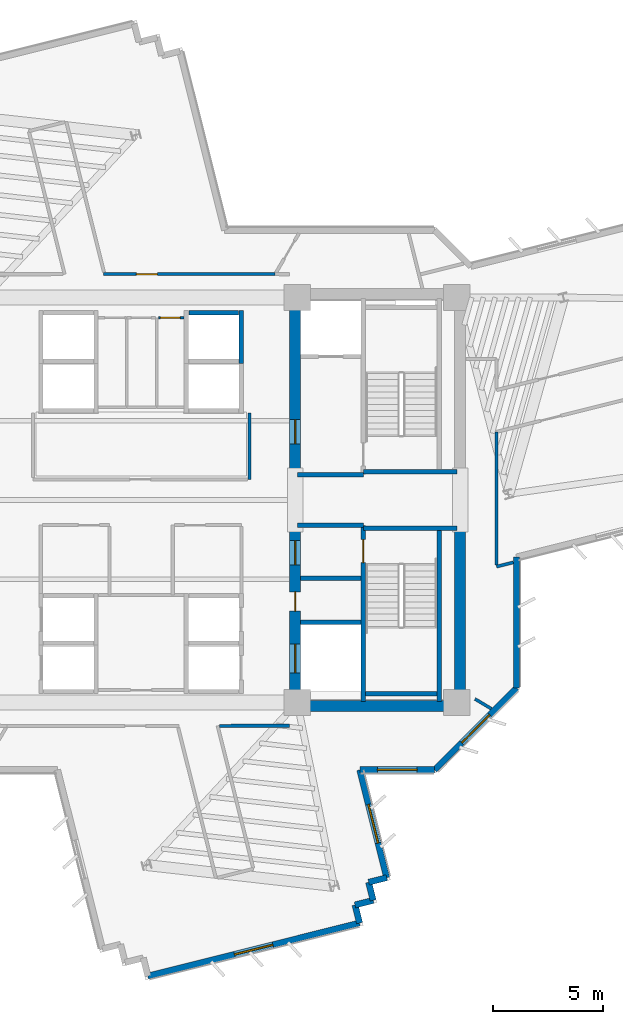
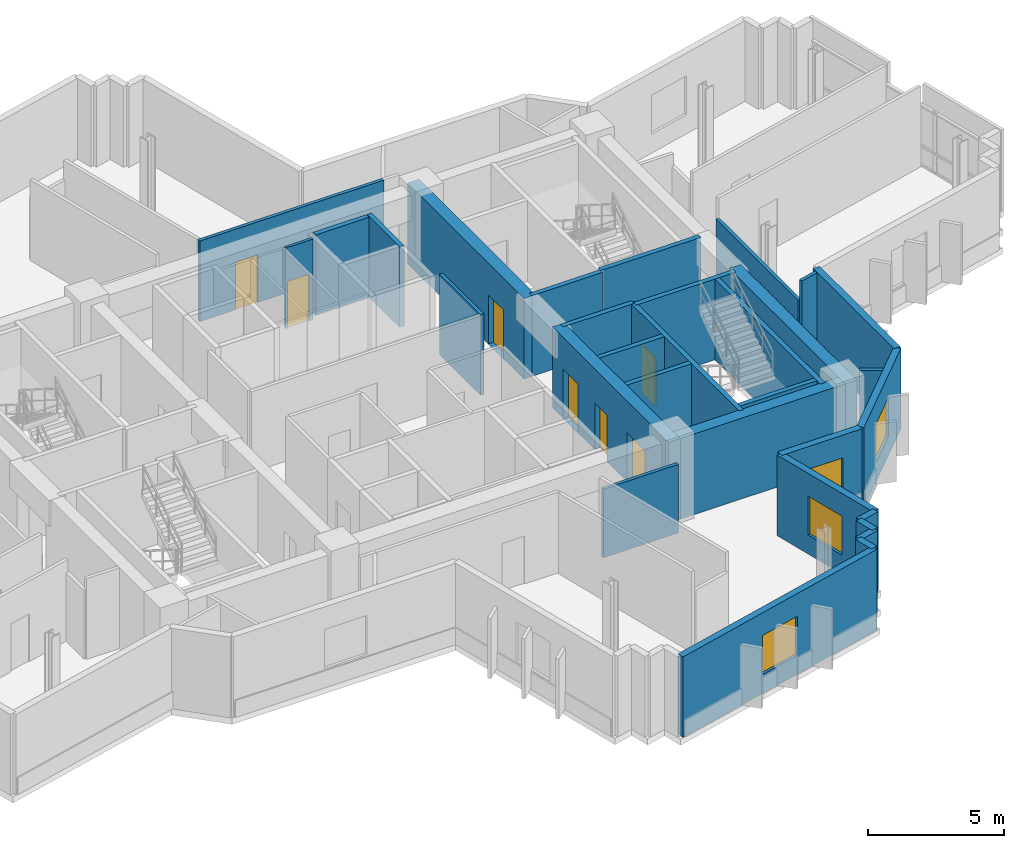
# One storey, part 8 of 13: 31 walls, 7 doors, 4 windows, 11 openings.
"""IFC4 building model written with IfcOpenShell, lengths in metres."""

from ifc_helpers import new_model, si_unit, direction, frame, frame_2d, origin, place, context, subcontext, project, spatial, rectangle, extrude, source, transform, mapped, material, layer, layer_set, type_object, element, fill, save


model = new_model("IFC4")

# Units and contexts
model_context = context("Model", 3, precision=1e-05, world=origin(), true_north=direction((0.0, 1.0)))
body_context = subcontext(model_context, "Body", "Model", "MODEL_VIEW")
ifc_project = project(units=[si_unit("LENGTHUNIT", "METRE"), si_unit("AREAUNIT", "SQUARE_METRE"), si_unit("VOLUMEUNIT", "CUBIC_METRE"), si_unit("PLANEANGLEUNIT", "RADIAN"), si_unit("MASSUNIT", "GRAM", prefix="KILO")], contexts=[model_context])

# Site, building, storey
site_placement = place(None, origin())
site = spatial("IfcSite", under=ifc_project, at=site_placement, CompositionType="ELEMENT")
building_placement = place(site_placement, origin())
building = spatial("IfcBuilding", under=site, at=building_placement, Name="Zahravan Cultural Tower", CompositionType="ELEMENT")
storey_placement = place(building_placement, frame((0.0, 0.0, 186.300048828125)))
storey = spatial("IfcBuildingStorey", under=building, at=storey_placement, Name="L43", CompositionType="ELEMENT", Elevation=186.300048828125)

# Wall, openings, doors
ifc_material_1 = material(Name="Concrete C60/75", Category="concrete")
ifc_layer_1 = layer(ifc_material_1, 0.5)
ifc_layer_set_1 = layer_set([ifc_layer_1], Name="Concrete C60/75")
wall_type_1 = type_object("IfcWallType", Name="CW-SHEAR-500-C60", PredefinedType="SHEAR", material=ifc_layer_set_1)
wall_1_placement = place(storey_placement, frame((43.0, 17.39990234375, 0.0), z_axis=(0.0, 0.0, 1.0), x_axis=(0.0, 1.0, 0.0)))
wall_1 = element("IfcWall", 1, at=wall_1_placement, inside=storey, type_object=wall_type_1, Name="L43 Core Shear Wall CW-E-WS-L43", PredefinedType="SHEAR", context=body_context, shape_type="SweptSolid", body=[
    extrude(rectangle(XDim=8.550048828125, YDim=0.5, at=frame_2d((4.27490234375, 0.0))), origin(), (0.0, 0.0, 1.0), 3.619873046875),
])
opening_1_placement = place(wall_1_placement, frame((6.64990234375, 0.0, 0.0)))
opening_1 = element("IfcOpeningElement", 2, at=opening_1_placement, cuts=wall_1, Name="Opening D-L43-08", PredefinedType="OPENING", context=body_context, shape_type="SweptSolid", body=[
    extrude(rectangle(XDim=1.10009765625, YDim=2.199951171875, at=frame_2d((0.550048828125, 1.10009765625))), frame((0.0, 0.260009765625, 0.0), z_axis=(0.0, -1.0, 0.0), x_axis=(1.0, 0.0, 0.0)), (0.0, 0.0, 1.0), 0.52001953125),
])
opening_2_placement = place(wall_1_placement, frame((1.75, 0.0, 0.0)))
opening_2 = element("IfcOpeningElement", 3, at=opening_2_placement, cuts=wall_1, Name="Opening LD-L43-03", PredefinedType="OPENING", context=body_context, shape_type="SweptSolid", body=[
    extrude(rectangle(XDim=1.300048828125, YDim=2.199951171875, at=frame_2d((0.64990234375, 1.10009765625))), frame((0.0, 0.260009765625, 0.0), z_axis=(0.0, -1.0, 0.0), x_axis=(1.0, 0.0, 0.0)), (0.0, 0.0, 1.0), 0.52001953125),
])
opening_3_placement = place(wall_1_placement, frame((4.550048828125, 0.0, 0.0)))
opening_3 = element("IfcOpeningElement", 4, at=opening_3_placement, cuts=wall_1, Name="Opening D-L43-10", PredefinedType="OPENING", context=body_context, shape_type="SweptSolid", body=[
    extrude(rectangle(XDim=0.8798828125, YDim=2.10009765625, at=frame_2d((0.43994140625, 1.050048828125))), frame((0.0, 0.260009765625, 0.0), z_axis=(0.0, -1.0, 0.0), x_axis=(1.0, 0.0, 0.0)), (0.0, 0.0, 1.0), 0.52001953125),
])
ifc_material_2 = material(Name="Steel ASTM A572 Grade 50", Category="steel")
door_type_1 = type_object("IfcDoorType", Name="DR-LOBBY-1100", OperationType="NOTDEFINED", PredefinedType="DOOR", material=ifc_material_2)
shared_shape_1 = source(origin(), body_context, "Body", "SweptSolid", [
    extrude(rectangle(XDim=1.10009765625, YDim=2.199951171875, at=frame_2d((0.550048828125, 1.10009765625))), frame((0.0, 0.02490234375, 0.0), z_axis=(0.0, -1.0, 0.0), x_axis=(1.0, 0.0, 0.0)), (0.0, 0.0, 1.0), 0.050048828125),
])
door_1_placement = place(opening_1_placement, origin())
door_1 = element("IfcDoor", 5, at=door_1_placement, inside=storey, type_object=door_type_1, Name="L43 Door D-L43-08", OperationType="SINGLE_SWING_RIGHT", OverallHeight=2.199951171875, OverallWidth=1.10009765625, PredefinedType="DOOR", context=body_context, shape_type="MappedRepresentation", body=[
    mapped(shared_shape_1, transform((0.0, 0.0, 0.0), x_axis=(1.0, 0.0, 0.0), y_axis=(0.0, 1.0, 0.0), z_axis=(0.0, 0.0, 1.0), scale=1.0)),
])
fill(opening_1, door_1)
door_type_2 = type_object("IfcDoorType", Name="DR-LIFT-1300", OperationType="DOUBLE_DOOR_SLIDING", PredefinedType="DOOR", material=ifc_material_2)
shared_shape_2 = source(origin(), body_context, "Body", "SweptSolid", [
    extrude(rectangle(XDim=1.300048828125, YDim=2.199951171875, at=frame_2d((0.64990234375, 1.10009765625))), frame((0.0, 0.02490234375, 0.0), z_axis=(0.0, -1.0, 0.0), x_axis=(1.0, 0.0, 0.0)), (0.0, 0.0, 1.0), 0.050048828125),
])
door_2_placement = place(opening_2_placement, origin())
door_2 = element("IfcDoor", 6, at=door_2_placement, inside=storey, type_object=door_type_2, Name="L43 Door LD-L43-03", OperationType="DOUBLE_DOOR_SLIDING", OverallHeight=2.199951171875, OverallWidth=1.300048828125, PredefinedType="DOOR", context=body_context, shape_type="MappedRepresentation", body=[
    mapped(shared_shape_2, transform((0.0, 0.0, 0.0), x_axis=(1.0, 0.0, 0.0), y_axis=(0.0, 1.0, 0.0), z_axis=(0.0, 0.0, 1.0), scale=1.0)),
])
fill(opening_2, door_2)
door_type_3 = type_object("IfcDoorType", Name="DR-SVC-880", OperationType="NOTDEFINED", PredefinedType="DOOR", material=ifc_material_2)
shared_shape_3 = source(origin(), body_context, "Body", "SweptSolid", [
    extrude(rectangle(XDim=0.8798828125, YDim=2.10009765625, at=frame_2d((0.43994140625, 1.050048828125))), frame((0.0, 0.02490234375, 0.0), z_axis=(0.0, -1.0, 0.0), x_axis=(1.0, 0.0, 0.0)), (0.0, 0.0, 1.0), 0.050048828125),
])
door_3_placement = place(opening_3_placement, origin())
door_3 = element("IfcDoor", 7, at=door_3_placement, inside=storey, type_object=door_type_3, Name="L43 Door D-L43-10", OperationType="SINGLE_SWING_RIGHT", OverallHeight=2.10009765625, OverallWidth=0.8798828125, PredefinedType="DOOR", context=body_context, shape_type="MappedRepresentation", body=[
    mapped(shared_shape_3, transform((0.0, 0.0, 0.0), x_axis=(1.0, 0.0, 0.0), y_axis=(0.0, 1.0, 0.0), z_axis=(0.0, 0.0, 1.0), scale=1.0)),
])
fill(opening_3, door_3)

# Wall, opening, door
wall_2_placement = place(storey_placement, frame((43.0, 28.050048828125, 0.0), z_axis=(0.0, 0.0, 1.0), x_axis=(0.0, 1.0, 0.0)))
wall_2 = element("IfcWall", 8, at=wall_2_placement, inside=storey, type_object=wall_type_1, Name="L43 Core Shear Wall CW-E-WN-L43", PredefinedType="SHEAR", context=body_context, shape_type="SweptSolid", body=[
    extrude(rectangle(XDim=8.550048828125, YDim=0.5, at=frame_2d((4.27490234375, 0.0))), origin(), (0.0, 0.0, 1.0), 3.619873046875),
])
opening_4_placement = place(wall_2_placement, frame((1.5, 0.0, 0.0)))
opening_4 = element("IfcOpeningElement", 9, at=opening_4_placement, cuts=wall_2, Name="Opening D-L43-06", PredefinedType="OPENING", context=body_context, shape_type="SweptSolid", body=[
    extrude(rectangle(XDim=1.10009765625, YDim=2.199951171875, at=frame_2d((0.550048828125, 1.10009765625))), frame((0.0, 0.260009765625, 0.0), z_axis=(0.0, -1.0, 0.0), x_axis=(1.0, 0.0, 0.0)), (0.0, 0.0, 1.0), 0.52001953125),
])
door_4_placement = place(opening_4_placement, origin())
door_4 = element("IfcDoor", 10, at=door_4_placement, inside=storey, type_object=door_type_1, Name="L43 Door D-L43-06", OperationType="SINGLE_SWING_RIGHT", OverallHeight=2.199951171875, OverallWidth=1.10009765625, PredefinedType="DOOR", context=body_context, shape_type="MappedRepresentation", body=[
    mapped(shared_shape_1, transform((0.0, 0.0, 0.0), x_axis=(1.0, 0.0, 0.0), y_axis=(0.0, 1.0, 0.0), z_axis=(0.0, 0.0, 1.0), scale=1.0)),
])
fill(opening_4, door_4)

# Wall, opening, window
ifc_material_3 = material(Name="Precast concrete C40/50", Category="concrete")
ifc_layer_2 = layer(ifc_material_3, 0.280029296875)
ifc_layer_set_2 = layer_set([ifc_layer_2], Name="Precast concrete C40/50")
wall_type_2 = type_object("IfcWallType", Name="EW-TC-280", PredefinedType="SOLIDWALL", material=ifc_layer_set_2)
wall_3_placement = place(storey_placement, frame((53.06005859375, 18.4580078125, 0.0), z_axis=(0.0, 0.0, 1.0), x_axis=(-0.707106781187, -0.707106781187, 0.0)))
wall_3 = element("IfcWall", 11, at=wall_3_placement, inside=storey, type_object=wall_type_2, Name="L43 Exterior Masonry Frame Wall 12", PredefinedType="SOLIDWALL", context=body_context, shape_type="SweptSolid", body=[
    extrude(rectangle(XDim=5.258056640625, YDim=0.280029296875, at=frame_2d((2.62890625, 0.0))), origin(), (0.0, 0.0, 1.0), 3.619873046875),
])
opening_5_placement = place(wall_3_placement, frame((1.72900390625, 0.0, 0.85009765625)))
opening_5 = element("IfcOpeningElement", 12, at=opening_5_placement, cuts=wall_3, Name="Opening WN-02", PredefinedType="OPENING", context=body_context, shape_type="SweptSolid", body=[
    extrude(rectangle(XDim=1.800048828125, YDim=1.75, at=frame_2d((0.89990234375, 0.875))), frame((0.0, 0.14990234375, 0.0), z_axis=(0.0, -1.0, 0.0), x_axis=(1.0, 0.0, 0.0)), (0.0, 0.0, 1.0), 0.300048828125),
])
ifc_material_4 = material(Name="Low-E solar-control double glazing", Category="glass")
window_type = type_object("IfcWindowType", Name="WN-REC-1800X1750", PartitioningType="DOUBLE_PANEL_VERTICAL", PredefinedType="WINDOW", material=ifc_material_4)
shared_shape_4 = source(origin(), body_context, "Body", "SweptSolid", [
    extrude(rectangle(XDim=1.800048828125, YDim=1.75, at=frame_2d((0.89990234375, 0.875))), frame((0.0, 0.030029296875, 0.0), z_axis=(0.0, -1.0, 0.0), x_axis=(1.0, 0.0, 0.0)), (0.0, 0.0, 1.0), 0.06005859375),
])
window_1_placement = place(opening_5_placement, origin())
window_1 = element("IfcWindow", 13, at=window_1_placement, inside=storey, type_object=window_type, Name="L43 Recessed Solar Window 03", OverallHeight=1.75, OverallWidth=1.800048828125, PartitioningType="DOUBLE_PANEL_VERTICAL", PredefinedType="WINDOW", context=body_context, shape_type="MappedRepresentation", body=[
    mapped(shared_shape_4, transform((0.0, 0.0, 0.0), x_axis=(1.0, 0.0, 0.0), y_axis=(0.0, 1.0, 0.0), z_axis=(0.0, 0.0, 1.0), scale=1.0)),
])
fill(opening_5, window_1)

wall_4_placement = place(storey_placement, frame((49.342041015625, 14.739990234375, 0.0), z_axis=(0.0, 0.0, 1.0), x_axis=(-1.0, 0.0, 0.0)))
wall_4 = element("IfcWall", 14, at=wall_4_placement, inside=storey, type_object=wall_type_2, Name="L43 Exterior Masonry Frame Wall 13", PredefinedType="SOLIDWALL", context=body_context, shape_type="SweptSolid", body=[
    extrude(rectangle(XDim=3.406005859375, YDim=0.280029296875, at=frame_2d((1.703125, 0.0))), origin(), (0.0, 0.0, 1.0), 3.619873046875),
])
opening_6_placement = place(wall_4_placement, frame((0.802978515625, 0.0, 0.85009765625)))
opening_6 = element("IfcOpeningElement", 15, at=opening_6_placement, cuts=wall_4, Name="Opening WN-02", PredefinedType="OPENING", context=body_context, shape_type="SweptSolid", body=[
    extrude(rectangle(XDim=1.800048828125, YDim=1.75, at=frame_2d((0.89990234375, 0.875))), frame((0.0, 0.14990234375, 0.0), z_axis=(0.0, -1.0, 0.0), x_axis=(1.0, 0.0, 0.0)), (0.0, 0.0, 1.0), 0.300048828125),
])
window_2_placement = place(opening_6_placement, origin())
window_2 = element("IfcWindow", 16, at=window_2_placement, inside=storey, type_object=window_type, Name="L43 Recessed Solar Window 04", OverallHeight=1.75, OverallWidth=1.800048828125, PartitioningType="DOUBLE_PANEL_VERTICAL", PredefinedType="WINDOW", context=body_context, shape_type="MappedRepresentation", body=[
    mapped(shared_shape_4, transform((0.0, 0.0, 0.0), x_axis=(1.0, 0.0, 0.0), y_axis=(0.0, 1.0, 0.0), z_axis=(0.0, 0.0, 1.0), scale=1.0)),
])
fill(opening_6, window_2)

wall_5_placement = place(storey_placement, frame((45.93603515625, 14.739990234375, 0.0), z_axis=(0.0, 0.0, 1.0), x_axis=(0.242956192426, -0.97003726143, 0.0)))
wall_5 = element("IfcWall", 17, at=wall_5_placement, inside=storey, type_object=wall_type_2, Name="L43 Exterior Masonry Frame Wall 14", PredefinedType="SOLIDWALL", context=body_context, shape_type="SweptSolid", body=[
    extrude(rectangle(XDim=5.053466796875, YDim=0.280029296875, at=frame_2d((2.52685546875, 0.0))), origin(), (0.0, 0.0, 1.0), 3.619873046875),
])
opening_7_placement = place(wall_5_placement, frame((1.626953125, 0.0, 0.85009765625)))
opening_7 = element("IfcOpeningElement", 18, at=opening_7_placement, cuts=wall_5, Name="Opening WN-02", PredefinedType="OPENING", context=body_context, shape_type="SweptSolid", body=[
    extrude(rectangle(XDim=1.800048828125, YDim=1.75, at=frame_2d((0.89990234375, 0.875))), frame((0.0, 0.14990234375, 0.0), z_axis=(0.0, -1.0, 0.0), x_axis=(1.0, 0.0, 0.0)), (0.0, 0.0, 1.0), 0.300048828125),
])
window_3_placement = place(opening_7_placement, origin())
window_3 = element("IfcWindow", 19, at=window_3_placement, inside=storey, type_object=window_type, Name="L43 Recessed Solar Window 05", OverallHeight=1.75, OverallWidth=1.800048828125, PartitioningType="DOUBLE_PANEL_VERTICAL", PredefinedType="WINDOW", context=body_context, shape_type="MappedRepresentation", body=[
    mapped(shared_shape_4, transform((0.0, 0.0, 0.0), x_axis=(1.0, 0.0, 0.0), y_axis=(0.0, 1.0, 0.0), z_axis=(0.0, 0.0, 1.0), scale=1.0)),
])
fill(opening_7, window_3)

wall_6_placement = place(storey_placement, frame((45.927734375, 7.77587890625, 0.0), z_axis=(0.0, 0.0, 1.0), x_axis=(-0.97004252616, -0.242935171273, 0.0)))
wall_6 = element("IfcWall", 20, at=wall_6_placement, inside=storey, type_object=wall_type_2, Name="L43 Exterior Masonry Frame Wall 19", PredefinedType="SOLIDWALL", context=body_context, shape_type="SweptSolid", body=[
    extrude(rectangle(XDim=9.919921875, YDim=0.280029296875, at=frame_2d((4.9599609375, 0.0))), origin(), (0.0, 0.0, 1.0), 3.619873046875),
])
opening_8_placement = place(wall_6_placement, frame((4.06005859375, 0.0, 0.85009765625)))
opening_8 = element("IfcOpeningElement", 21, at=opening_8_placement, cuts=wall_6, Name="Opening WN-02", PredefinedType="OPENING", context=body_context, shape_type="SweptSolid", body=[
    extrude(rectangle(XDim=1.800048828125, YDim=1.75, at=frame_2d((0.89990234375, 0.875))), frame((0.0, 0.14990234375, 0.0), z_axis=(0.0, -1.0, 0.0), x_axis=(1.0, 0.0, 0.0)), (0.0, 0.0, 1.0), 0.300048828125),
])
window_4_placement = place(opening_8_placement, origin())
window_4 = element("IfcWindow", 22, at=window_4_placement, inside=storey, type_object=window_type, Name="L43 Recessed Solar Window 06", OverallHeight=1.75, OverallWidth=1.800048828125, PartitioningType="DOUBLE_PANEL_VERTICAL", PredefinedType="WINDOW", context=body_context, shape_type="MappedRepresentation", body=[
    mapped(shared_shape_4, transform((0.0, 0.0, 0.0), x_axis=(1.0, 0.0, 0.0), y_axis=(0.0, 1.0, 0.0), z_axis=(0.0, 0.0, 1.0), scale=1.0)),
])
fill(opening_8, window_4)

# Wall, opening, door
ifc_material_5 = material(Name="Gypsum plasterboard partition")
ifc_layer_3 = layer(ifc_material_5, 0.139892578125)
ifc_layer_set_3 = layer_set([ifc_layer_3], Name="Gypsum plasterboard partition")
wall_type_3 = type_object("IfcWallType", Name="W-PART-140", PredefinedType="PARTITIONING", material=ifc_layer_set_3)
wall_7_placement = place(storey_placement, frame((42.087890625, 37.260009765625, 0.0), z_axis=(0.0, 0.0, 1.0), x_axis=(-1.0, 0.0, 0.0)))
wall_7 = element("IfcWall", 23, at=wall_7_placement, inside=storey, type_object=wall_type_3, Name="L43 Interior Wall 097", PredefinedType="PARTITIONING", context=body_context, shape_type="SweptSolid", body=[
    extrude(rectangle(XDim=7.806396484375, YDim=0.139892578125, at=frame_2d((3.9033203125, 0.0))), origin(), (0.0, 0.0, 1.0), 3.619873046875),
])
opening_9_placement = place(wall_7_placement, frame((5.34814453125, 0.0, 0.0)))
opening_9 = element("IfcOpeningElement", 24, at=opening_9_placement, cuts=wall_7, Name="Opening D-L43-20", PredefinedType="OPENING", context=body_context, shape_type="SweptSolid", body=[
    extrude(rectangle(XDim=0.949951171875, YDim=2.14990234375, at=frame_2d((0.47509765625, 1.074951171875))), frame((0.0, 0.079833984375, 0.0), z_axis=(0.0, -1.0, 0.0), x_axis=(1.0, 0.0, 0.0)), (0.0, 0.0, 1.0), 0.159912109375),
])
ifc_material_6 = material(Name="Anodised bronze-aluminium mullion", Category="aluminium")
door_type_4 = type_object("IfcDoorType", Name="DR-ROOM-950", OperationType="NOTDEFINED", PredefinedType="DOOR", material=ifc_material_6)
shared_shape_5 = source(origin(), body_context, "Body", "SweptSolid", [
    extrude(rectangle(XDim=0.949951171875, YDim=2.14990234375, at=frame_2d((0.47509765625, 1.074951171875))), frame((0.0, 0.02490234375, 0.0), z_axis=(0.0, -1.0, 0.0), x_axis=(1.0, 0.0, 0.0)), (0.0, 0.0, 1.0), 0.050048828125),
])
door_5_placement = place(opening_9_placement, origin())
door_5 = element("IfcDoor", 25, at=door_5_placement, inside=storey, type_object=door_type_4, Name="L43 Door D-L43-20", OperationType="SINGLE_SWING_RIGHT", OverallHeight=2.14990234375, OverallWidth=0.949951171875, PredefinedType="DOOR", context=body_context, shape_type="MappedRepresentation", body=[
    mapped(shared_shape_5, transform((0.0, 0.0, 0.0), x_axis=(1.0, 0.0, 0.0), y_axis=(0.0, 1.0, 0.0), z_axis=(0.0, 0.0, 1.0), scale=1.0)),
])
fill(opening_9, door_5)

ifc_material_7 = material(Name="Concrete C45/55", Category="concrete")
ifc_layer_4 = layer(ifc_material_7, 0.199951171875)
ifc_layer_set_4 = layer_set([ifc_layer_4], Name="Concrete C45/55")
wall_type_4 = type_object("IfcWallType", Name="W-SHAFT-200", PredefinedType="SOLIDWALL", material=ifc_layer_set_4)
wall_8_placement = place(storey_placement, frame((46.10009765625, 17.85009765625, 0.0), z_axis=(0.0, 0.0, 1.0), x_axis=(0.0, 1.0, 0.0)))
wall_8 = element("IfcWall", 26, at=wall_8_placement, inside=storey, type_object=wall_type_4, Name="L43 Interior Wall 007", PredefinedType="SOLIDWALL", context=body_context, shape_type="SweptSolid", body=[
    extrude(rectangle(XDim=8.0, YDim=0.199951171875, at=frame_2d((4.0, 0.0))), origin(), (0.0, 0.0, 1.0), 3.619873046875),
])
opening_10_placement = place(wall_8_placement, frame((6.300048828125, 0.0, 0.0)))
opening_10 = element("IfcOpeningElement", 27, at=opening_10_placement, cuts=wall_8, Name="Opening D-L43-03", PredefinedType="OPENING", context=body_context, shape_type="SweptSolid", body=[
    extrude(rectangle(XDim=1.050048828125, YDim=2.14990234375, at=frame_2d((0.52490234375, 1.074951171875))), frame((0.0, 0.10986328125, 0.0), z_axis=(0.0, -1.0, 0.0), x_axis=(1.0, 0.0, 0.0)), (0.0, 0.0, 1.0), 0.219970703125),
])
door_type_5 = type_object("IfcDoorType", Name="DR-STAIR-1050", OperationType="NOTDEFINED", PredefinedType="DOOR", material=ifc_material_2)
shared_shape_6 = source(origin(), body_context, "Body", "SweptSolid", [
    extrude(rectangle(XDim=1.050048828125, YDim=2.14990234375, at=frame_2d((0.52490234375, 1.074951171875))), frame((0.0, 0.02490234375, 0.0), z_axis=(0.0, -1.0, 0.0), x_axis=(1.0, 0.0, 0.0)), (0.0, 0.0, 1.0), 0.050048828125),
])
door_6_placement = place(opening_10_placement, origin())
door_6 = element("IfcDoor", 28, at=door_6_placement, inside=storey, type_object=door_type_5, Name="L43 Door D-L43-03", OperationType="SINGLE_SWING_LEFT", OverallHeight=2.14990234375, OverallWidth=1.050048828125, PredefinedType="DOOR", context=body_context, shape_type="MappedRepresentation", body=[
    mapped(shared_shape_6, transform((0.0, 0.0, 0.0), x_axis=(1.0, 0.0, 0.0), y_axis=(0.0, 1.0, 0.0), z_axis=(0.0, 0.0, 1.0), scale=1.0)),
])
fill(opening_10, door_6)

ifc_layer_5 = layer(ifc_material_5, 0.114990234375)
ifc_layer_set_5 = layer_set([ifc_layer_5], Name="Gypsum plasterboard partition")
wall_type_5 = type_object("IfcWallType", Name="W-WC-115", PredefinedType="PARTITIONING", material=ifc_layer_set_5)
wall_9_placement = place(storey_placement, frame((36.782470703125, 35.280029296875, 0.0), z_axis=(0.0, 0.0, 1.0), x_axis=(1.0, 0.0, 0.0)))
wall_9 = element("IfcWall", 29, at=wall_9_placement, inside=storey, type_object=wall_type_5, Name="L43 Interior Wall 056", PredefinedType="PARTITIONING", context=body_context, shape_type="SweptSolid", body=[
    extrude(rectangle(XDim=1.16259765625, YDim=0.114990234375, at=frame_2d((0.581298828125, 0.0))), origin(), (0.0, 0.0, 1.0), 3.619873046875),
])
opening_11_placement = place(wall_9_placement, frame((0.0888671875, 0.0, 0.0)))
opening_11 = element("IfcOpeningElement", 30, at=opening_11_placement, cuts=wall_9, Name="Opening D-L43-15", PredefinedType="OPENING", context=body_context, shape_type="SweptSolid", body=[
    extrude(rectangle(XDim=0.89990234375, YDim=2.10009765625, at=frame_2d((0.449951171875, 1.050048828125))), frame((0.0, 0.0673828125, 0.0), z_axis=(0.0, -1.0, 0.0), x_axis=(1.0, 0.0, 0.0)), (0.0, 0.0, 1.0), 0.135009765625),
])
door_type_6 = type_object("IfcDoorType", Name="DR-WC-900", OperationType="NOTDEFINED", PredefinedType="DOOR", material=ifc_material_6)
shared_shape_7 = source(origin(), body_context, "Body", "SweptSolid", [
    extrude(rectangle(XDim=0.89990234375, YDim=2.10009765625, at=frame_2d((0.449951171875, 1.050048828125))), frame((0.0, 0.02490234375, 0.0), z_axis=(0.0, -1.0, 0.0), x_axis=(1.0, 0.0, 0.0)), (0.0, 0.0, 1.0), 0.050048828125),
])
door_7_placement = place(opening_11_placement, origin())
door_7 = element("IfcDoor", 31, at=door_7_placement, inside=storey, type_object=door_type_6, Name="L43 Door D-L43-15", OperationType="SINGLE_SWING_LEFT", OverallHeight=2.10009765625, OverallWidth=0.89990234375, PredefinedType="DOOR", context=body_context, shape_type="MappedRepresentation", body=[
    mapped(shared_shape_7, transform((0.0, 0.0, 0.0), x_axis=(1.0, 0.0, 0.0), y_axis=(0.0, 1.0, 0.0), z_axis=(0.0, 0.0, 1.0), scale=1.0)),
])
fill(opening_11, door_7)

# Walls
shared_shape_8 = source(origin(), body_context, "Body", "SweptSolid", [
    extrude(rectangle(XDim=8.550048828125, YDim=0.5, at=frame_2d((4.27490234375, 0.0))), origin(), (0.0, 0.0, 1.0), 3.619873046875),
])
wall_10_placement = place(storey_placement, frame((50.5, 17.39990234375, 0.0), z_axis=(0.0, 0.0, 1.0), x_axis=(0.0, 1.0, 0.0)))
element("IfcWall", 32, at=wall_10_placement, inside=storey, type_object=wall_type_1, Name="L43 Core Shear Wall CW-E-ES-L43", PredefinedType="SHEAR", context=body_context, shape_type="MappedRepresentation", body=[
    mapped(shared_shape_8, transform((0.0, 0.0, 0.0), x_axis=(1.0, 0.0, 0.0), y_axis=(0.0, 1.0, 0.0), z_axis=(0.0, 0.0, 1.0), scale=1.0)),
])
shared_shape_9 = source(origin(), body_context, "Body", "SweptSolid", [
    extrude(rectangle(XDim=7.0, YDim=0.5, at=frame_2d((3.5, 0.0))), origin(), (0.0, 0.0, 1.0), 3.619873046875),
])
wall_11_placement = place(storey_placement, frame((43.25, 17.64990234375, 0.0), z_axis=(0.0, 0.0, 1.0), x_axis=(1.0, 0.0, 0.0)))
element("IfcWall", 33, at=wall_11_placement, inside=storey, type_object=wall_type_1, Name="L43 Core Shear Wall CW-E-S-L43", PredefinedType="SHEAR", context=body_context, shape_type="MappedRepresentation", body=[
    mapped(shared_shape_9, transform((0.0, 0.0, 0.0), x_axis=(1.0, 0.0, 0.0), y_axis=(0.0, 1.0, 0.0), z_axis=(0.0, 0.0, 1.0), scale=1.0)),
])
shared_shape_10 = source(origin(), body_context, "Body", "SweptSolid", [
    extrude(rectangle(XDim=0.85009765625, YDim=0.280029296875, at=frame_2d((0.425048828125, 0.0))), origin(), (0.0, 0.0, 1.0), 3.619873046875),
])
for number, where, z_axis, x_axis, name in (
    (34, (47.163818359375, 9.837890625, 0.0), (0.0, 0.0, 1.0), (-0.970108704339, -0.242670768255, 0.0), "L43 Exterior Masonry Frame Wall 15"),
    (35, (46.339111328125, 9.631591796875, 0.0), (0.0, 0.0, 1.0), (0.242941012307, -0.970041063326, 0.0), "L43 Exterior Masonry Frame Wall 16"),
):
    element("IfcWall", number, at=place(storey_placement, frame(where, z_axis=z_axis, x_axis=x_axis)), inside=storey, type_object=wall_type_2, Name=name, PredefinedType="SOLIDWALL", context=body_context, shape_type="MappedRepresentation", body=[
        mapped(shared_shape_10, transform((0.0, 0.0, 0.0), x_axis=(1.0, 0.0, 0.0), y_axis=(0.0, 1.0, 0.0), z_axis=(0.0, 0.0, 1.0), scale=1.0)),
    ])
shared_shape_11 = source(origin(), body_context, "Body", "SweptSolid", [
    extrude(rectangle(XDim=0.849853515625, YDim=0.280029296875, at=frame_2d((0.4248046875, 0.0))), origin(), (0.0, 0.0, 1.0), 3.619873046875),
])
for number, where, z_axis, x_axis, name in (
    (36, (46.545654296875, 8.806884765625, 0.0), (0.0, 0.0, 1.0), (-0.970024107708, -0.243008704507, 0.0), "L43 Exterior Masonry Frame Wall 17"),
    (37, (45.72119140625, 8.600341796875, 0.0), (0.0, 0.0, 1.0), (0.243008704507, -0.970024107708, 0.0), "L43 Exterior Masonry Frame Wall 18"),
):
    element("IfcWall", number, at=place(storey_placement, frame(where, z_axis=z_axis, x_axis=x_axis)), inside=storey, type_object=wall_type_2, Name=name, PredefinedType="SOLIDWALL", context=body_context, shape_type="MappedRepresentation", body=[
        mapped(shared_shape_11, transform((0.0, 0.0, 0.0), x_axis=(1.0, 0.0, 0.0), y_axis=(0.0, 1.0, 0.0), z_axis=(0.0, 0.0, 1.0), scale=1.0)),
    ])
shared_shape_12 = source(origin(), body_context, "Body", "SweptSolid", [
    extrude(rectangle(XDim=5.948974609375, YDim=0.280029296875, at=frame_2d((2.974609375, 0.0))), origin(), (0.0, 0.0, 1.0), 3.619873046875),
])
wall_12_placement = place(storey_placement, frame((53.06005859375, 24.406982421875, 0.0), z_axis=(0.0, 0.0, 1.0), x_axis=(0.0, -1.0, 0.0)))
element("IfcWall", 38, at=wall_12_placement, inside=storey, type_object=wall_type_2, Name="L43 Exterior Masonry Frame Wall 11", PredefinedType="SOLIDWALL", context=body_context, shape_type="MappedRepresentation", body=[
    mapped(shared_shape_12, transform((0.0, 0.0, 0.0), x_axis=(1.0, 0.0, 0.0), y_axis=(0.0, 1.0, 0.0), z_axis=(0.0, 0.0, 1.0), scale=1.0)),
])
shared_shape_13 = source(origin(), body_context, "Body", "SweptSolid", [
    extrude(rectangle(XDim=7.869873046875, YDim=0.199951171875, at=frame_2d((3.93505859375, 0.0))), origin(), (0.0, 0.0, 1.0), 3.619873046875),
])
wall_13_placement = place(storey_placement, frame((49.550048828125, 17.85009765625, 0.0), z_axis=(0.0, 0.0, 1.0), x_axis=(0.0, 1.0, 0.0)))
element("IfcWall", 39, at=wall_13_placement, inside=storey, type_object=wall_type_4, Name="L43 Interior Wall 003", PredefinedType="SOLIDWALL", context=body_context, shape_type="MappedRepresentation", body=[
    mapped(shared_shape_13, transform((0.0, 0.0, 0.0), x_axis=(1.0, 0.0, 0.0), y_axis=(0.0, 1.0, 0.0), z_axis=(0.0, 0.0, 1.0), scale=1.0)),
])
shared_shape_14 = source(origin(), body_context, "Body", "SweptSolid", [
    extrude(rectangle(XDim=4.25, YDim=0.199951171875, at=frame_2d((2.125, 0.0))), origin(), (0.0, 0.0, 1.0), 3.619873046875),
])
for number, where, z_axis, x_axis, name in (
    (40, (46.10009765625, 25.715087890625, 0.0), (0.0, 0.0, 1.0), (1.0, 0.0, 0.0), "L43 Interior Wall 014"),
    (41, (46.10009765625, 28.284912109375, 0.0), (0.0, 0.0, 1.0), (1.0, 0.0, 0.0), "L43 Interior Wall 016"),
):
    element("IfcWall", number, at=place(storey_placement, frame(where, z_axis=z_axis, x_axis=x_axis)), inside=storey, type_object=wall_type_4, Name=name, PredefinedType="SOLIDWALL", context=body_context, shape_type="MappedRepresentation", body=[
        mapped(shared_shape_14, transform((0.0, 0.0, 0.0), x_axis=(1.0, 0.0, 0.0), y_axis=(0.0, 1.0, 0.0), z_axis=(0.0, 0.0, 1.0), scale=1.0)),
    ])
shared_shape_15 = source(origin(), body_context, "Body", "SweptSolid", [
    extrude(rectangle(XDim=3.0, YDim=0.199951171875, at=frame_2d((1.5, 0.0))), origin(), (0.0, 0.0, 1.0), 3.619873046875),
])
for number, where, z_axis, x_axis, name in (
    (42, (43.10009765625, 25.85009765625, 0.0), (0.0, 0.0, 1.0), (1.0, 0.0, 0.0), "L43 Interior Wall 013"),
    (43, (43.10009765625, 28.14990234375, 0.0), (0.0, 0.0, 1.0), (1.0, 0.0, 0.0), "L43 Interior Wall 015"),
):
    element("IfcWall", number, at=place(storey_placement, frame(where, z_axis=z_axis, x_axis=x_axis)), inside=storey, type_object=wall_type_4, Name=name, PredefinedType="SOLIDWALL", context=body_context, shape_type="MappedRepresentation", body=[
        mapped(shared_shape_15, transform((0.0, 0.0, 0.0), x_axis=(1.0, 0.0, 0.0), y_axis=(0.0, 1.0, 0.0), z_axis=(0.0, 0.0, 1.0), scale=1.0)),
    ])
shared_shape_16 = source(origin(), body_context, "Body", "SweptSolid", [
    extrude(rectangle(XDim=3.25, YDim=0.199951171875, at=frame_2d((1.625, 0.0))), origin(), (0.0, 0.0, 1.0), 3.619873046875),
])
wall_14_placement = place(storey_placement, frame((46.199951171875, 18.199951171875, 0.0), z_axis=(0.0, 0.0, 1.0), x_axis=(1.0, 0.0, 0.0)))
element("IfcWall", 44, at=wall_14_placement, inside=storey, type_object=wall_type_4, Name="L43 Interior Wall 020", PredefinedType="SOLIDWALL", context=body_context, shape_type="MappedRepresentation", body=[
    mapped(shared_shape_16, transform((0.0, 0.0, 0.0), x_axis=(1.0, 0.0, 0.0), y_axis=(0.0, 1.0, 0.0), z_axis=(0.0, 0.0, 1.0), scale=1.0)),
])
shared_shape_17 = source(origin(), body_context, "Body", "SweptSolid", [
    extrude(rectangle(XDim=2.75, YDim=0.199951171875, at=frame_2d((1.375, 0.0))), origin(), (0.0, 0.0, 1.0), 3.619873046875),
])
for number, where, z_axis, x_axis, name in (
    (45, (43.25, 23.449951171875, 0.0), (0.0, 0.0, 1.0), (1.0, 0.0, 0.0), "L43 Interior Wall 024"),
    (46, (43.25, 21.449951171875, 0.0), (0.0, 0.0, 1.0), (1.0, 0.0, 0.0), "L43 Interior Wall 025"),
):
    element("IfcWall", number, at=place(storey_placement, frame(where, z_axis=z_axis, x_axis=x_axis)), inside=storey, type_object=wall_type_4, Name=name, PredefinedType="SOLIDWALL", context=body_context, shape_type="MappedRepresentation", body=[
        mapped(shared_shape_17, transform((0.0, 0.0, 0.0), x_axis=(1.0, 0.0, 0.0), y_axis=(0.0, 1.0, 0.0), z_axis=(0.0, 0.0, 1.0), scale=1.0)),
    ])
shared_shape_18 = source(origin(), body_context, "Body", "SweptSolid", [
    extrude(rectangle(XDim=2.400146484375, YDim=0.199951171875, at=frame_2d((1.2001953125, 0.0))), origin(), (0.0, 0.0, 1.0), 3.619873046875),
])
wall_15_placement = place(storey_placement, frame((40.550048828125, 33.199951171875, 0.0), z_axis=(0.0, 0.0, 1.0), x_axis=(0.0, 1.0, 0.0)))
element("IfcWall", 47, at=wall_15_placement, inside=storey, type_object=wall_type_4, Name="L43 Interior Wall 034", PredefinedType="SOLIDWALL", context=body_context, shape_type="MappedRepresentation", body=[
    mapped(shared_shape_18, transform((0.0, 0.0, 0.0), x_axis=(1.0, 0.0, 0.0), y_axis=(0.0, 1.0, 0.0), z_axis=(0.0, 0.0, 1.0), scale=1.0)),
])
shared_shape_19 = source(origin(), body_context, "Body", "SweptSolid", [
    extrude(rectangle(XDim=2.260009765625, YDim=0.199951171875, at=frame_2d((1.1298828125, 0.0))), origin(), (0.0, 0.0, 1.0), 3.619873046875),
])
wall_16_placement = place(storey_placement, frame((38.169921875, 35.5, 0.0), z_axis=(0.0, 0.0, 1.0), x_axis=(1.0, 0.0, 0.0)))
element("IfcWall", 48, at=wall_16_placement, inside=storey, type_object=wall_type_4, Name="L43 Interior Wall 036", PredefinedType="SOLIDWALL", context=body_context, shape_type="MappedRepresentation", body=[
    mapped(shared_shape_19, transform((0.0, 0.0, 0.0), x_axis=(1.0, 0.0, 0.0), y_axis=(0.0, 1.0, 0.0), z_axis=(0.0, 0.0, 1.0), scale=1.0)),
])
shared_shape_20 = source(origin(), body_context, "Body", "SweptSolid", [
    extrude(rectangle(XDim=3.010009765625, YDim=0.139892578125, at=frame_2d((1.5048828125, 0.0))), origin(), (0.0, 0.0, 1.0), 3.619873046875),
])
wall_17_placement = place(storey_placement, frame((40.919921875, 30.949951171875, 0.0), z_axis=(0.0, 0.0, 1.0), x_axis=(0.0, -1.0, 0.0)))
element("IfcWall", 49, at=wall_17_placement, inside=storey, type_object=wall_type_3, Name="L43 Interior Wall 076", PredefinedType="PARTITIONING", context=body_context, shape_type="MappedRepresentation", body=[
    mapped(shared_shape_20, transform((0.0, 0.0, 0.0), x_axis=(1.0, 0.0, 0.0), y_axis=(0.0, 1.0, 0.0), z_axis=(0.0, 0.0, 1.0), scale=1.0)),
])
shared_shape_21 = source(origin(), body_context, "Body", "SweptSolid", [
    extrude(rectangle(XDim=0.788818359375, YDim=0.139892578125, at=frame_2d((0.39453125, 0.0))), origin(), (0.0, 0.0, 1.0), 3.619873046875),
])
wall_18_placement = place(storey_placement, frame((52.9150390625, 24.164306640625, 0.0), z_axis=(0.0, 0.0, 1.0), x_axis=(-0.970033159667, -0.242972568711, 0.0)))
element("IfcWall", 50, at=wall_18_placement, inside=storey, type_object=wall_type_3, Name="L43 Interior Wall 090", PredefinedType="PARTITIONING", context=body_context, shape_type="MappedRepresentation", body=[
    mapped(shared_shape_21, transform((0.0, 0.0, 0.0), x_axis=(1.0, 0.0, 0.0), y_axis=(0.0, 1.0, 0.0), z_axis=(0.0, 0.0, 1.0), scale=1.0)),
])
shared_shape_22 = source(origin(), body_context, "Body", "SweptSolid", [
    extrude(rectangle(XDim=6.046142578125, YDim=0.139892578125, at=frame_2d((3.02294921875, 0.0))), origin(), (0.0, 0.0, 1.0), 2.69287109375),
])
wall_19_placement = place(storey_placement, frame((52.14990234375, 24.050048828125, 0.0), z_axis=(0.0, 0.0, 1.0), x_axis=(0.0, 1.0, 0.0)))
element("IfcWall", 51, at=wall_19_placement, inside=storey, type_object=wall_type_3, Name="L43 Interior Wall 091", PredefinedType="PARTITIONING", context=body_context, shape_type="MappedRepresentation", body=[
    mapped(shared_shape_22, transform((0.0, 0.0, 0.0), x_axis=(1.0, 0.0, 0.0), y_axis=(0.0, 1.0, 0.0), z_axis=(0.0, 0.0, 1.0), scale=1.0)),
])
shared_shape_23 = source(origin(), body_context, "Body", "SweptSolid", [
    extrude(rectangle(XDim=0.865478515625, YDim=0.139892578125, at=frame_2d((0.4326171875, 0.0))), origin(), (0.0, 0.0, 1.0), 3.619873046875),
])
wall_20_placement = place(storey_placement, frame((51.169921875, 17.95849609375, 0.0), z_axis=(0.0, 0.0, 1.0), x_axis=(0.860144859581, -0.510049821621, 0.0)))
element("IfcWall", 52, at=wall_20_placement, inside=storey, type_object=wall_type_3, Name="L43 Interior Wall 108", PredefinedType="PARTITIONING", context=body_context, shape_type="MappedRepresentation", body=[
    mapped(shared_shape_23, transform((0.0, 0.0, 0.0), x_axis=(1.0, 0.0, 0.0), y_axis=(0.0, 1.0, 0.0), z_axis=(0.0, 0.0, 1.0), scale=1.0)),
])
shared_shape_24 = source(origin(), body_context, "Body", "SweptSolid", [
    extrude(rectangle(XDim=3.1923828125, YDim=0.139892578125, at=frame_2d((1.59619140625, 0.0))), origin(), (0.0, 0.0, 1.0), 3.078857421875),
])
wall_21_placement = place(storey_placement, frame((39.55419921875, 16.739990234375, 0.0), z_axis=(0.0, 0.0, 1.0), x_axis=(0.999999926893, 0.000382379905, 0.0)))
element("IfcWall", 53, at=wall_21_placement, inside=storey, type_object=wall_type_3, Name="L43 Interior Wall 107", PredefinedType="PARTITIONING", context=body_context, shape_type="MappedRepresentation", body=[
    mapped(shared_shape_24, transform((0.0, 0.0, 0.0), x_axis=(1.0, 0.0, 0.0), y_axis=(0.0, 1.0, 0.0), z_axis=(0.0, 0.0, 1.0), scale=1.0)),
])

save(model, "model.ifc")
